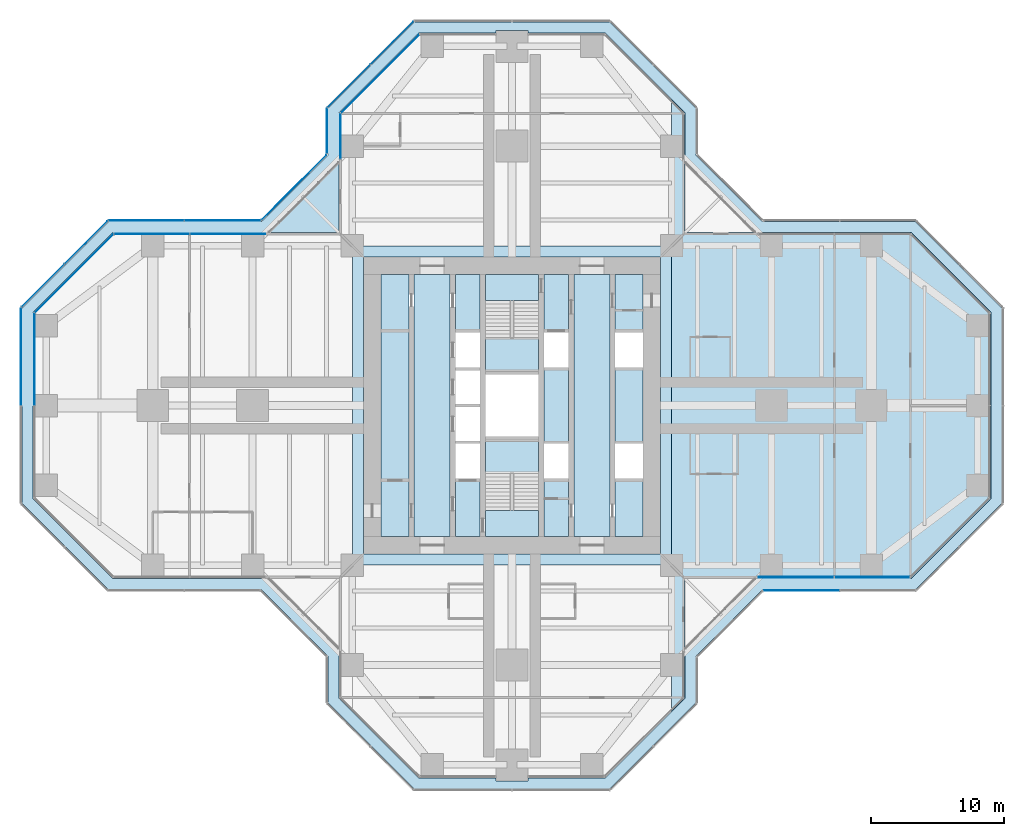
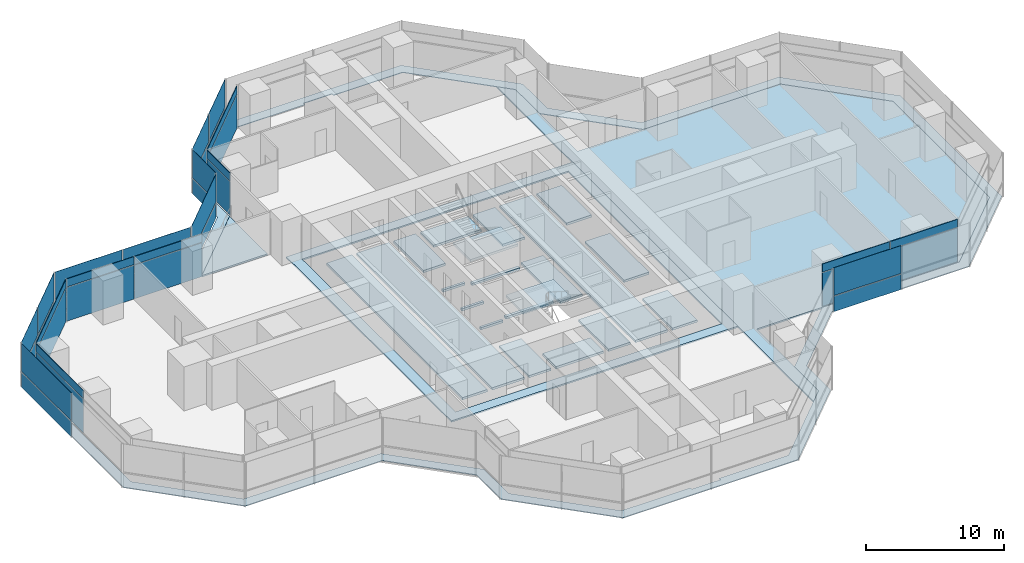
# One storey, part 13 of 19: 37 plates, 8 slabs, 15 elements without a shape of their own.
"""IFC4 building model written with IfcOpenShell, lengths in metres."""

import ifcopenshell
import ifcopenshell.guid

model = None  # the IFC model being written
_history = None  # IfcOwnerHistory: only IFC2X3 demands one
_inside = {}  # id of a spatial element -> (the spatial element, [elements in it])
_under = {}  # id of a project, library or spatial element -> (it, [spatial elements below it])
_declared = {}  # id of a project -> (the project, [libraries it declares])
_typed = {}  # id of a type object -> (the type object, [elements of that type])
_made_of = {}  # id of a material, layer set ... -> (it, [elements and type objects made of it])


def new_model(schema):
    """Start an empty IFC model of exactly this schema.

    Asked for "IFC4X3", IfcOpenShell would pick the latest addendum, in which some entities
    have other attributes; the version numbers below select the first issue.
    IFC2X3 requires an IfcOwnerHistory on every rooted entity: one is made here for all.
    """
    global model, _history
    if schema == "IFC4X3":
        model = ifcopenshell.file(schema_version=(4, 3, 0, 0))
    else:
        model = ifcopenshell.file(schema=schema)
    _inside.clear()
    _under.clear()
    _declared.clear()
    _typed.clear()
    _made_of.clear()
    _history = None
    if model.schema == "IFC2X3":
        org = make("IfcOrganization", Name="unknown")
        user = make(
            "IfcPersonAndOrganization",
            ThePerson=make("IfcPerson", FamilyName="unknown"),
            TheOrganization=org,
        )
        app = make(
            "IfcApplication",
            ApplicationDeveloper=org,
            Version="unknown",
            ApplicationFullName="unknown",
            ApplicationIdentifier="unknown",
        )
        _history = make(
            "IfcOwnerHistory",
            OwningUser=user,
            OwningApplication=app,
            ChangeAction="ADDED",
            CreationDate=0,
        )
    return model


def make(cls, **values):
    """One entity of the class cls with the attributes given. An attribute that is None is left unset."""
    return model.create_entity(
        cls, **{name: value for name, value in values.items() if value is not None}
    )


def rooted(cls, **values):
    """An entity with a GlobalId (a new one), such as an element, a storey or a relation."""
    return make(cls, GlobalId=ifcopenshell.guid.new(), OwnerHistory=_history, **values)


def si_unit(unit_type, name, prefix=None):
    """IfcSIUnit, for example si_unit("LENGTHUNIT", "METRE", prefix="MILLI")."""
    return make("IfcSIUnit", UnitType=unit_type, Prefix=prefix, Name=name)


def assignment(units):
    """IfcUnitAssignment: the units of a project."""
    return None if units is None else make("IfcUnitAssignment", Units=units)


def point(xyz):
    """IfcCartesianPoint."""
    return None if xyz is None else make("IfcCartesianPoint", Coordinates=xyz)


def direction(xyz):
    """IfcDirection."""
    return None if xyz is None else make("IfcDirection", DirectionRatios=xyz)


def frame(location, z_axis=None, x_axis=None):
    """IfcAxis2Placement3D, a coordinate frame: its origin and axes. An axis left out is left unset."""
    return make(
        "IfcAxis2Placement3D",
        Location=point(location),
        Axis=direction(z_axis),
        RefDirection=direction(x_axis),
    )


def frame_2d(location, x_axis=None):
    """IfcAxis2Placement2D, a coordinate frame in the plane: its origin and x axis."""
    return make(
        "IfcAxis2Placement2D", Location=point(location), RefDirection=direction(x_axis)
    )


def origin():
    """The frame at (0, 0, 0) with its axes left unset."""
    return frame((0.0, 0.0, 0.0))


def origin_2d():
    """The frame at (0, 0) in the plane with its x axis left unset."""
    return frame_2d((0.0, 0.0))


def place(relative_to, where):
    """IfcLocalPlacement: puts the frame where relative to a parent placement (None: the world)."""
    return make(
        "IfcLocalPlacement", PlacementRelTo=relative_to, RelativePlacement=where
    )


def context(
    kind, dimensions, precision=None, world=None, true_north=None, identifier=None
):
    """IfcGeometricRepresentationContext, for example the 3D "Model" context."""
    return make(
        "IfcGeometricRepresentationContext",
        ContextIdentifier=identifier,
        ContextType=kind,
        CoordinateSpaceDimension=dimensions,
        Precision=precision,
        WorldCoordinateSystem=world,
        TrueNorth=true_north,
    )


def subcontext(parent, identifier, kind, view, scale=None):
    """IfcGeometricRepresentationSubContext, for example "Body" below "Model"."""
    return make(
        "IfcGeometricRepresentationSubContext",
        ContextIdentifier=identifier,
        ContextType=kind,
        ParentContext=parent,
        TargetScale=scale,
        TargetView=view,
    )


def project(units=None, contexts=None):
    """IfcProject with its units and contexts."""
    return rooted(
        "IfcProject",
        Name="project",
        RepresentationContexts=contexts,
        UnitsInContext=assignment(units),
    )


def spatial(cls, under=None, at=None, **own):
    """A site, building, storey or space (cls), placed at a placement, below another one or the project."""
    s = rooted(cls, ObjectPlacement=at, **own)
    if under is not None:
        _under.setdefault(under.id(), (under, []))[1].append(s)
    return s


def polyline(points):
    """IfcPolyline through the points."""
    return make("IfcPolyline", Points=[point(p) for p in points])


def profile(cls, at=None, kind="AREA", **sizes):
    """A parametric profile (cls). Its sizes go by their IFC names, for example OverallWidth=200.0."""
    return make(cls, ProfileType=kind, Position=at, **sizes)


def rectangle(**sizes):
    """IfcRectangleProfileDef."""
    return profile("IfcRectangleProfileDef", **sizes)


def outline(outer, holes=None, kind="AREA"):
    """IfcArbitraryClosedProfileDef: a profile drawn as a closed curve; with holes, ...WithVoids."""
    if holes is None:
        return make("IfcArbitraryClosedProfileDef", ProfileType=kind, OuterCurve=outer)
    return make(
        "IfcArbitraryProfileDefWithVoids",
        ProfileType=kind,
        OuterCurve=outer,
        InnerCurves=holes,
    )


def extrude(swept, where, along, depth):
    """IfcExtrudedAreaSolid: the profile swept, set in the frame where, extruded along a direction by depth."""
    return make(
        "IfcExtrudedAreaSolid",
        SweptArea=swept,
        Position=where,
        ExtrudedDirection=direction(along),
        Depth=depth,
    )


def shape(context_of_items, identifier, shape_type, items):
    """IfcShapeRepresentation: the items that make up one representation, for example the "Body"."""
    return make(
        "IfcShapeRepresentation",
        ContextOfItems=context_of_items,
        RepresentationIdentifier=identifier,
        RepresentationType=shape_type,
        Items=items,
    )


def material(Name=None, Category=None):
    """IfcMaterial."""
    return make("IfcMaterial", Name=Name, Category=Category)


def layer(
    of_material, thickness, ventilated=None, Name=None, Category=None, Priority=None
):
    """IfcMaterialLayer: one layer of a wall or slab, of a material (None: an air gap)."""
    return make(
        "IfcMaterialLayer",
        Material=of_material,
        LayerThickness=thickness,
        IsVentilated=ventilated,
        Name=Name,
        Category=Category,
        Priority=Priority,
    )


def layer_set(layers, Name=None):
    """IfcMaterialLayerSet."""
    return make("IfcMaterialLayerSet", MaterialLayers=layers, LayerSetName=Name)


def made_of(thing, what):
    """Note that an element or type object is made of a material, layer set ...; save() writes the relation."""
    if what is not None:
        _made_of.setdefault(what.id(), (what, []))[1].append(thing)
    return thing


def type_object(cls, material=None, **own):
    """A type object (cls), such as IfcWallType, which elements share."""
    return made_of(rooted(cls, **own), material)


def element(
    cls,
    number,
    at=None,
    inside=None,
    cuts=None,
    type_object=None,
    material=None,
    context=None,
    identifier="Body",
    shape_type=None,
    held_by="IfcProductDefinitionShape",
    body=None,
    shapes=None,
    **own,
):
    """One element of the class cls, such as IfcWall. Its Tag is "e" and its number.

    at: its placement. inside: the storey or other place that contains it. cuts: it is an
    opening in that element (IfcRelVoidsElement). A single representation is given by context,
    identifier, shape_type and body (its items); several are given by shapes. held_by: the class
    of the entity that holds the representations. save() writes the other relations.
    """
    e = rooted(cls, Tag="e%d" % number, ObjectPlacement=at, **own)
    if body is not None:
        shapes = [shape(context, identifier, shape_type, body)]
    if shapes is not None:
        e.Representation = make(held_by, Representations=shapes)
    if inside is not None:
        _inside.setdefault(inside.id(), (inside, []))[1].append(e)
    if cuts is not None:
        rooted(
            "IfcRelVoidsElement", RelatingBuildingElement=cuts, RelatedOpeningElement=e
        )
    if type_object is not None:
        _typed.setdefault(type_object.id(), (type_object, []))[1].append(e)
    return made_of(e, material)


def aggregate(whole, parts):
    """IfcRelAggregates: a whole, such as a stair, and the parts it consists of."""
    return rooted("IfcRelAggregates", RelatingObject=whole, RelatedObjects=parts)


def save(model, path):
    """Write the relations noted so far, then the file.

    IfcRelAggregates (storeys below a building ...), IfcRelContainedInSpatialStructure (elements
    in a storey), IfcRelDefinesByType, IfcRelAssociatesMaterial and IfcRelDeclares: one each for
    every whole, place, type object, material and project.
    """
    for whole, parts in _under.values():
        aggregate(whole, parts)
    for where, things in _inside.values():
        rooted(
            "IfcRelContainedInSpatialStructure",
            RelatedElements=things,
            RelatingStructure=where,
        )
    for kind, things in _typed.values():
        rooted("IfcRelDefinesByType", RelatedObjects=things, RelatingType=kind)
    for what, things in _made_of.values():
        rooted("IfcRelAssociatesMaterial", RelatedObjects=things, RelatingMaterial=what)
    for by, libraries in _declared.values():
        rooted("IfcRelDeclares", RelatingContext=by, RelatedDefinitions=libraries)
    model.write(path)


model = new_model("IFC4")

# Units and contexts
model_context = context("Model", 3, precision=1e-05, world=origin(), true_north=direction((0.0, 1.0)))
body_context = subcontext(model_context, "Body", "Model", "MODEL_VIEW")
ifc_project = project(units=[si_unit("LENGTHUNIT", "METRE"), si_unit("AREAUNIT", "SQUARE_METRE"), si_unit("VOLUMEUNIT", "CUBIC_METRE"), si_unit("PLANEANGLEUNIT", "RADIAN"), si_unit("MASSUNIT", "GRAM", prefix="KILO")], contexts=[model_context])

# Site, building, storey
site_placement = place(None, origin())
site = spatial("IfcSite", under=ifc_project, at=site_placement, CompositionType="ELEMENT")
building_placement = place(site_placement, origin())
building = spatial("IfcBuilding", under=site, at=building_placement, Name="Mizan Broadcast Tower", CompositionType="ELEMENT")
storey_placement = place(building_placement, frame((0.0, 0.0, 182.699951171875)))
storey = spatial("IfcBuildingStorey", under=building, at=storey_placement, Name="L42", CompositionType="ELEMENT", Elevation=182.699951171875)

# Plate
ifc_material_1 = material(Name="Aluminium grating", Category="aluminium")
ifc_layer_1 = layer(ifc_material_1, 0.050048828125)
ifc_layer_set_1 = layer_set([ifc_layer_1], Name="Aluminium grating")
plate_type_1 = type_object("IfcPlateType", Name="CAVITY GRATING", PredefinedType="USERDEFINED", material=ifc_layer_set_1)
plate_1_placement = place(storey_placement, frame((0.0, 0.0, -0.050048828125)))
element("IfcPlate", 1, at=plate_1_placement, inside=storey, type_object=plate_type_1, Name="Cavity grating L42", ObjectType="GRATING", PredefinedType="USERDEFINED", context=body_context, shape_type="SweptSolid", body=[
    extrude(outline(polyline([(13.820068359375, -18.839599609375), (18.839599609375, -13.820068359375), (30.339599609375, -13.820068359375), (36.820068359375, -7.339599609375), (36.820068359375, 7.339599609375), (30.339599609375, 13.820068359375), (18.839599609375, 13.820068359375), (13.820068359375, 18.839599609375), (13.820068359375, 22.339599609375), (7.339599609375, 28.820068359375), (-7.339599609375, 28.820068359375), (-13.820068359375, 22.339599609375), (-13.820068359375, 18.839599609375), (-18.839599609375, 13.820068359375), (-30.339599609375, 13.820068359375), (-36.820068359375, 7.339599609375), (-36.820068359375, -7.339599609375), (-30.339599609375, -13.820068359375), (-18.839599609375, -13.820068359375), (-13.820068359375, -18.839599609375), (-13.820068359375, -22.339599609375), (-7.339599609375, -28.820068359375), (7.339599609375, -28.820068359375), (13.820068359375, -22.339599609375), (13.820068359375, -18.839599609375)]), holes=[polyline([(36.0, 7.0), (36.0, -7.0), (30.0, -13.0), (18.5, -13.0), (13.0, -18.5), (13.0, -22.0), (7.0, -28.0), (1.199951171875, -28.0), (1.199951171875, -28.199951171875), (-1.199951171875, -28.199951171875), (-1.199951171875, -28.0), (-7.0, -28.0), (-13.0, -22.0), (-13.0, -18.5), (-18.5, -13.0), (-30.0, -13.0), (-36.0, -7.0), (-36.0, 7.0), (-30.0, 13.0), (-18.5, 13.0), (-13.0, 18.5), (-13.0, 22.0), (-7.0, 28.0), (-1.199951171875, 28.0), (-1.199951171875, 28.199951171875), (1.199951171875, 28.199951171875), (1.199951171875, 28.0), (7.0, 28.0), (13.0, 22.0), (13.0, 18.5), (18.5, 13.0), (30.0, 13.0), (36.0, 7.0)])]), origin(), (0.0, 0.0, 1.0), 0.050048828125),
])

# Slabs
ifc_material_2 = material(Name="Concrete C32/40", Category="concrete")
ifc_layer_2 = layer(ifc_material_2, 0.1298828125)
ifc_layer_set_2 = layer_set([ifc_layer_2], Name="Concrete C32/40")
slab_type_1 = type_object("IfcSlabType", Name="COMPOSITE DECK SLAB 130", PredefinedType="FLOOR", material=ifc_layer_set_2)
slab_1_placement = place(storey_placement, frame((0.0, 0.0, -0.1298828125)))
element("IfcSlab", 2, at=slab_1_placement, inside=storey, type_object=slab_type_1, Name="Floor slab L42 centre", PredefinedType="FLOOR", context=body_context, shape_type="SweptSolid", body=[
    extrude(outline(polyline([(-12.0, -12.0), (12.0, -12.0), (12.0, 12.0), (-12.0, 12.0), (-12.0, -12.0)]), holes=[polyline([(-11.14990234375, 11.14990234375), (11.14990234375, 11.14990234375), (11.14990234375, -11.14990234375), (-11.14990234375, -11.14990234375), (-11.14990234375, 11.14990234375)])]), origin(), (0.0, 0.0, 1.0), 0.1298828125),
])
slab_2_placement = place(storey_placement, frame((0.0, 0.0, -0.1298828125)))
element("IfcSlab", 3, at=slab_2_placement, inside=storey, type_object=slab_type_1, Name="Floor slab L42 east arm", PredefinedType="FLOOR", context=body_context, shape_type="SweptSolid", body=[
    extrude(outline(polyline([(12.0, -23.0), (13.0, -22.0), (13.0, -13.0), (30.0, -13.0), (36.0, -7.0), (36.0, 7.0), (30.0, 13.0), (13.0, 13.0), (13.0, 22.0), (12.0, 23.0), (12.0, -23.0)])), origin(), (0.0, 0.0, 1.0), 0.1298828125),
])
ifc_material_3 = material(Name="Concrete C40/50", Category="concrete")
ifc_layer_3 = layer(ifc_material_3, 0.199951171875)
ifc_layer_set_3 = layer_set([ifc_layer_3], Name="Concrete C40/50")
slab_type_2 = type_object("IfcSlabType", Name="CORE FLOOR 200", PredefinedType="FLOOR", material=ifc_layer_set_3)
slab_3_placement = place(storey_placement, frame((0.0, 0.0, -0.199951171875)))
element("IfcSlab", 4, at=slab_3_placement, inside=storey, type_object=slab_type_2, Name="Core floor L42", PredefinedType="FLOOR", context=body_context, shape_type="SweptSolid", body=[
    extrude(outline(polyline([(-9.85009765625, -9.85009765625), (-7.75, -9.85009765625), (-7.75, 9.85009765625), (-9.85009765625, 9.85009765625), (-9.85009765625, -9.85009765625)])), origin(), (0.0, 0.0, 1.0), 0.199951171875),
    extrude(outline(polyline([(-4.64990234375, 9.85009765625), (-7.35009765625, 9.85009765625), (-7.35009765625, -9.85009765625), (-4.64990234375, -9.85009765625), (-4.64990234375, 9.85009765625)])), origin(), (0.0, 0.0, 1.0), 0.199951171875),
    extrude(outline(polyline([(-4.25, -5.5), (-4.25, -9.85009765625), (-2.39990234375, -9.85009765625), (-2.39990234375, -5.5), (-4.25, -5.5)])), origin(), (0.0, 0.0, 1.0), 0.199951171875),
    extrude(outline(polyline([(-4.25, -2.85009765625), (-2.39990234375, -2.85009765625), (-2.39990234375, -2.64990234375), (-4.25, -2.64990234375), (-4.25, -2.85009765625)])), origin(), (0.0, 0.0, 1.0), 0.199951171875),
    extrude(outline(polyline([(-4.25, -0.10009765625), (-2.39990234375, -0.10009765625), (-2.39990234375, 0.10009765625), (-4.25, 0.10009765625), (-4.25, -0.10009765625)])), origin(), (0.0, 0.0, 1.0), 0.199951171875),
    extrude(outline(polyline([(-4.25, 2.64990234375), (-2.39990234375, 2.64990234375), (-2.39990234375, 2.85009765625), (-4.25, 2.85009765625), (-4.25, 2.64990234375)])), origin(), (0.0, 0.0, 1.0), 0.199951171875),
    extrude(outline(polyline([(-4.25, 5.5), (-2.39990234375, 5.5), (-2.39990234375, 9.85009765625), (-4.25, 9.85009765625), (-4.25, 5.5)])), origin(), (0.0, 0.0, 1.0), 0.199951171875),
    extrude(outline(polyline([(2.0, -2.324951171875), (-2.0, -2.324951171875), (-2.0, -2.574951171875), (2.0, -2.574951171875), (2.0, -2.324951171875)])), origin(), (0.0, 0.0, 1.0), 0.199951171875),
    extrude(outline(polyline([(2.0, 2.574951171875), (-2.0, 2.574951171875), (-2.0, 2.324951171875), (2.0, 2.324951171875), (2.0, 2.574951171875)])), origin(), (0.0, 0.0, 1.0), 0.199951171875),
    extrude(outline(polyline([(4.25, -9.85009765625), (4.25, -5.5), (2.39990234375, -5.5), (2.39990234375, -9.85009765625), (4.25, -9.85009765625)])), origin(), (0.0, 0.0, 1.0), 0.199951171875),
    extrude(outline(polyline([(4.25, -2.85009765625), (4.25, 2.85009765625), (2.39990234375, 2.85009765625), (2.39990234375, -2.85009765625), (4.25, -2.85009765625)])), origin(), (0.0, 0.0, 1.0), 0.199951171875),
    extrude(outline(polyline([(4.25, 5.5), (4.25, 9.85009765625), (2.39990234375, 9.85009765625), (2.39990234375, 5.5), (4.25, 5.5)])), origin(), (0.0, 0.0, 1.0), 0.199951171875),
    extrude(outline(polyline([(4.64990234375, 9.85009765625), (4.64990234375, -9.85009765625), (7.35009765625, -9.85009765625), (7.35009765625, 9.85009765625), (4.64990234375, 9.85009765625)])), origin(), (0.0, 0.0, 1.0), 0.199951171875),
    extrude(outline(polyline([(9.85009765625, -9.85009765625), (9.85009765625, -5.5), (7.75, -5.5), (7.75, -9.85009765625), (9.85009765625, -9.85009765625)])), origin(), (0.0, 0.0, 1.0), 0.199951171875),
    extrude(outline(polyline([(7.75, -2.85009765625), (9.85009765625, -2.85009765625), (9.85009765625, 2.85009765625), (7.75, 2.85009765625), (7.75, -2.85009765625)])), origin(), (0.0, 0.0, 1.0), 0.199951171875),
    extrude(outline(polyline([(9.85009765625, 5.5), (9.85009765625, 9.85009765625), (7.75, 9.85009765625), (7.75, 5.5), (9.85009765625, 5.5)])), origin(), (0.0, 0.0, 1.0), 0.199951171875),
])

# Curtain wall, plates
ifc_material_4 = material(Name="Aluminium framed glazing", Category="aluminium")
curtain_wall_type_1 = type_object("IfcCurtainWallType", Name="INNER SKIN MID ZONE", PredefinedType="USERDEFINED", material=ifc_material_4)
curtain_wall_1_placement = place(storey_placement, origin())
curtain_wall_1 = element("IfcCurtainWall", 5, at=curtain_wall_1_placement, inside=storey, type_object=curtain_wall_type_1, Name="Inner skin mid zone L42 E side", ObjectType="INNER SKIN MID ZONE", PredefinedType="USERDEFINED")
ifc_material_5 = material(Name="Double glazing, clear low-e", Category="glass")
ifc_layer_4 = layer(ifc_material_5, 0.028076171875)
ifc_layer_set_4 = layer_set([ifc_layer_4], Name="Double glazing, clear low-e")
plate_type_2 = type_object("IfcPlateType", Name="INNER SKIN GLAZING UNIT", PredefinedType="CURTAIN_PANEL", material=ifc_layer_set_4)
plate_2_placement = place(storey_placement, frame((21.379638671875, -12.89990234375, 0.0), z_axis=(0.0, 0.0, 1.0), x_axis=(1.0, 0.0, 0.0)))
plate_2 = element("IfcPlate", 6, at=plate_2_placement, type_object=plate_type_2, Name="Inner skin mid zone L42 E side panel 1.1", PredefinedType="CURTAIN_PANEL", context=body_context, shape_type="SweptSolid", body=[
    extrude(rectangle(XDim=5.639404296875, YDim=0.028076171875, at=origin_2d()), origin(), (0.0, 0.0, 1.0), 3.0),
])
plate_3_placement = place(storey_placement, frame((27.078857421875, -12.89990234375, 0.0), z_axis=(0.0, 0.0, 1.0), x_axis=(1.0, 0.0, 0.0)))
plate_3 = element("IfcPlate", 7, at=plate_3_placement, type_object=plate_type_2, Name="Inner skin mid zone L42 E side panel 2.1", PredefinedType="CURTAIN_PANEL", context=body_context, shape_type="SweptSolid", body=[
    extrude(rectangle(XDim=5.639404296875, YDim=0.028076171875, at=origin_2d()), origin(), (0.0, 0.0, 1.0), 3.0),
])

# Curtain wall, plate
curtain_wall_2_placement = place(storey_placement, origin())
curtain_wall_2 = element("IfcCurtainWall", 8, at=curtain_wall_2_placement, inside=storey, type_object=curtain_wall_type_1, Name="Inner skin mid zone L42 N chamfer", ObjectType="INNER SKIN MID ZONE", PredefinedType="USERDEFINED")
plate_4_placement = place(storey_placement, frame((-9.92919921875, 24.92919921875, 0.0), z_axis=(0.0, 0.0, 1.0), x_axis=(-0.707106781187, -0.707106781187, 0.0)))
plate_4 = element("IfcPlate", 9, at=plate_4_placement, type_object=plate_type_2, Name="Inner skin mid zone L42 N chamfer panel 1.1", PredefinedType="CURTAIN_PANEL", context=body_context, shape_type="SweptSolid", body=[
    extrude(rectangle(XDim=8.282470703125, YDim=0.028076171875, at=origin_2d()), origin(), (0.0, 0.0, 1.0), 3.0),
])

curtain_wall_3_placement = place(storey_placement, origin())
curtain_wall_3 = element("IfcCurtainWall", 10, at=curtain_wall_3_placement, inside=storey, type_object=curtain_wall_type_1, Name="Inner skin mid zone L42 N side", ObjectType="INNER SKIN MID ZONE", PredefinedType="USERDEFINED")
plate_5_placement = place(storey_placement, frame((-12.89990234375, 20.229248046875, 0.0), z_axis=(0.0, 0.0, 1.0), x_axis=(0.0, -1.0, 0.0)))
plate_5 = element("IfcPlate", 11, at=plate_5_placement, type_object=plate_type_2, Name="Inner skin mid zone L42 N side panel 1.1", PredefinedType="CURTAIN_PANEL", context=body_context, shape_type="SweptSolid", body=[
    extrude(rectangle(XDim=3.338623046875, YDim=0.028076171875, at=origin_2d()), origin(), (0.0, 0.0, 1.0), 3.0),
])

# Curtain wall, plates
curtain_wall_4_placement = place(storey_placement, origin())
curtain_wall_4 = element("IfcCurtainWall", 12, at=curtain_wall_4_placement, inside=storey, type_object=curtain_wall_type_1, Name="Inner skin mid zone L42 W side", ObjectType="INNER SKIN MID ZONE", PredefinedType="USERDEFINED")
plate_6_placement = place(storey_placement, frame((-21.379638671875, 12.89990234375, 0.0), z_axis=(0.0, 0.0, 1.0), x_axis=(-1.0, 0.0, 0.0)))
plate_6 = element("IfcPlate", 13, at=plate_6_placement, type_object=plate_type_2, Name="Inner skin mid zone L42 W side panel 1.1", PredefinedType="CURTAIN_PANEL", context=body_context, shape_type="SweptSolid", body=[
    extrude(rectangle(XDim=5.639404296875, YDim=0.028076171875, at=origin_2d()), origin(), (0.0, 0.0, 1.0), 3.0),
])
plate_7_placement = place(storey_placement, frame((-27.078857421875, 12.89990234375, 0.0), z_axis=(0.0, 0.0, 1.0), x_axis=(-1.0, 0.0, 0.0)))
plate_7 = element("IfcPlate", 14, at=plate_7_placement, type_object=plate_type_2, Name="Inner skin mid zone L42 W side panel 2.1", PredefinedType="CURTAIN_PANEL", context=body_context, shape_type="SweptSolid", body=[
    extrude(rectangle(XDim=5.639404296875, YDim=0.028076171875, at=origin_2d()), origin(), (0.0, 0.0, 1.0), 3.0),
])

# Curtain wall, plate
curtain_wall_5_placement = place(storey_placement, origin())
curtain_wall_5 = element("IfcCurtainWall", 15, at=curtain_wall_5_placement, inside=storey, type_object=curtain_wall_type_1, Name="Inner skin mid zone L42 W chamfer", ObjectType="INNER SKIN MID ZONE", PredefinedType="USERDEFINED")
plate_8_placement = place(storey_placement, frame((-32.92919921875, 9.92919921875, 0.0), z_axis=(0.0, 0.0, 1.0), x_axis=(-0.707106781187, -0.707106781187, 0.0)))
plate_8 = element("IfcPlate", 16, at=plate_8_placement, type_object=plate_type_2, Name="Inner skin mid zone L42 W chamfer panel 1.1", PredefinedType="CURTAIN_PANEL", context=body_context, shape_type="SweptSolid", body=[
    extrude(rectangle(XDim=8.282470703125, YDim=0.028076171875, at=origin_2d()), origin(), (0.0, 0.0, 1.0), 3.0),
])

curtain_wall_6_placement = place(storey_placement, origin())
curtain_wall_6 = element("IfcCurtainWall", 17, at=curtain_wall_6_placement, inside=storey, type_object=curtain_wall_type_1, Name="Inner skin mid zone L42 W end", ObjectType="INNER SKIN MID ZONE", PredefinedType="USERDEFINED")
plate_9_placement = place(storey_placement, frame((-35.89990234375, 3.46435546875, 0.0), z_axis=(0.0, 0.0, 1.0), x_axis=(0.0, -1.0, 0.0)))
plate_9 = element("IfcPlate", 18, at=plate_9_placement, type_object=plate_type_2, Name="Inner skin mid zone L42 W end panel 1.1", PredefinedType="CURTAIN_PANEL", context=body_context, shape_type="SweptSolid", body=[
    extrude(rectangle(XDim=6.86865234375, YDim=0.028076171875, at=origin_2d()), origin(), (0.0, 0.0, 1.0), 3.0),
])

# Plate
ifc_material_6 = material(Name="Insulated aluminium spandrel panel, pale anodised", Category="aluminium")
ifc_layer_5 = layer(ifc_material_6, 0.050048828125)
ifc_layer_set_5 = layer_set([ifc_layer_5], Name="Insulated aluminium spandrel panel, pale anodised")
plate_type_3 = type_object("IfcPlateType", Name="INNER SKIN SPANDREL PANEL", PredefinedType="CURTAIN_PANEL", material=ifc_layer_set_5)
plate_10_placement = place(storey_placement, frame((21.379638671875, -12.89990234375, 3.06005859375), z_axis=(0.0, 0.0, 1.0), x_axis=(1.0, 0.0, 0.0)))
plate_10 = element("IfcPlate", 19, at=plate_10_placement, type_object=plate_type_3, Name="Inner skin mid zone L42 E side panel 1.2", PredefinedType="CURTAIN_PANEL", context=body_context, shape_type="SweptSolid", body=[
    extrude(rectangle(XDim=5.639404296875, YDim=0.050048828125, at=origin_2d()), origin(), (0.0, 0.0, 1.0), 0.7099609375),
])

plate_11_placement = place(storey_placement, frame((27.078857421875, -12.89990234375, 3.06005859375), z_axis=(0.0, 0.0, 1.0), x_axis=(1.0, 0.0, 0.0)))
plate_11 = element("IfcPlate", 20, at=plate_11_placement, type_object=plate_type_3, Name="Inner skin mid zone L42 E side panel 2.2", PredefinedType="CURTAIN_PANEL", context=body_context, shape_type="SweptSolid", body=[
    extrude(rectangle(XDim=5.639404296875, YDim=0.050048828125, at=origin_2d()), origin(), (0.0, 0.0, 1.0), 0.7099609375),
])

aggregate(curtain_wall_1, [plate_2, plate_10, plate_3, plate_11])

plate_12_placement = place(storey_placement, frame((-9.92919921875, 24.92919921875, 3.06005859375), z_axis=(0.0, 0.0, 1.0), x_axis=(-0.707106781187, -0.707106781187, 0.0)))
plate_12 = element("IfcPlate", 21, at=plate_12_placement, type_object=plate_type_3, Name="Inner skin mid zone L42 N chamfer panel 1.2", PredefinedType="CURTAIN_PANEL", context=body_context, shape_type="SweptSolid", body=[
    extrude(rectangle(XDim=8.282470703125, YDim=0.050048828125, at=origin_2d()), origin(), (0.0, 0.0, 1.0), 0.7099609375),
])

aggregate(curtain_wall_2, [plate_4, plate_12])

plate_13_placement = place(storey_placement, frame((-12.89990234375, 20.229248046875, 3.06005859375), z_axis=(0.0, 0.0, 1.0), x_axis=(0.0, -1.0, 0.0)))
plate_13 = element("IfcPlate", 22, at=plate_13_placement, type_object=plate_type_3, Name="Inner skin mid zone L42 N side panel 1.2", PredefinedType="CURTAIN_PANEL", context=body_context, shape_type="SweptSolid", body=[
    extrude(rectangle(XDim=3.338623046875, YDim=0.050048828125, at=origin_2d()), origin(), (0.0, 0.0, 1.0), 0.7099609375),
])

aggregate(curtain_wall_3, [plate_5, plate_13])

plate_14_placement = place(storey_placement, frame((-21.379638671875, 12.89990234375, 3.06005859375), z_axis=(0.0, 0.0, 1.0), x_axis=(-1.0, 0.0, 0.0)))
plate_14 = element("IfcPlate", 23, at=plate_14_placement, type_object=plate_type_3, Name="Inner skin mid zone L42 W side panel 1.2", PredefinedType="CURTAIN_PANEL", context=body_context, shape_type="SweptSolid", body=[
    extrude(rectangle(XDim=5.639404296875, YDim=0.050048828125, at=origin_2d()), origin(), (0.0, 0.0, 1.0), 0.7099609375),
])

plate_15_placement = place(storey_placement, frame((-27.078857421875, 12.89990234375, 3.06005859375), z_axis=(0.0, 0.0, 1.0), x_axis=(-1.0, 0.0, 0.0)))
plate_15 = element("IfcPlate", 24, at=plate_15_placement, type_object=plate_type_3, Name="Inner skin mid zone L42 W side panel 2.2", PredefinedType="CURTAIN_PANEL", context=body_context, shape_type="SweptSolid", body=[
    extrude(rectangle(XDim=5.639404296875, YDim=0.050048828125, at=origin_2d()), origin(), (0.0, 0.0, 1.0), 0.7099609375),
])

aggregate(curtain_wall_4, [plate_6, plate_14, plate_7, plate_15])

plate_16_placement = place(storey_placement, frame((-32.92919921875, 9.92919921875, 3.06005859375), z_axis=(0.0, 0.0, 1.0), x_axis=(-0.707106781187, -0.707106781187, 0.0)))
plate_16 = element("IfcPlate", 25, at=plate_16_placement, type_object=plate_type_3, Name="Inner skin mid zone L42 W chamfer panel 1.2", PredefinedType="CURTAIN_PANEL", context=body_context, shape_type="SweptSolid", body=[
    extrude(rectangle(XDim=8.282470703125, YDim=0.050048828125, at=origin_2d()), origin(), (0.0, 0.0, 1.0), 0.7099609375),
])

aggregate(curtain_wall_5, [plate_8, plate_16])

plate_17_placement = place(storey_placement, frame((-35.89990234375, 3.46435546875, 3.06005859375), z_axis=(0.0, 0.0, 1.0), x_axis=(0.0, -1.0, 0.0)))
plate_17 = element("IfcPlate", 26, at=plate_17_placement, type_object=plate_type_3, Name="Inner skin mid zone L42 W end panel 1.2", PredefinedType="CURTAIN_PANEL", context=body_context, shape_type="SweptSolid", body=[
    extrude(rectangle(XDim=6.86865234375, YDim=0.050048828125, at=origin_2d()), origin(), (0.0, 0.0, 1.0), 0.7099609375),
])

aggregate(curtain_wall_6, [plate_9, plate_17])

# Curtain wall, plates
ifc_material_7 = material(Name="Aluminium framed glazing", Category="aluminium")
curtain_wall_type_2 = type_object("IfcCurtainWallType", Name="OUTER SKIN", PredefinedType="USERDEFINED", material=ifc_material_7)
curtain_wall_7_placement = place(storey_placement, origin())
curtain_wall_7 = element("IfcCurtainWall", 27, at=curtain_wall_7_placement, inside=storey, type_object=curtain_wall_type_2, Name="Outer skin L42 N chamfer", ObjectType="OUTER SKIN", PredefinedType="USERDEFINED")
ifc_material_8 = material(Name="Laminated clear glass", Category="glass")
ifc_layer_6 = layer(ifc_material_8, 0.02001953125)
ifc_layer_set_6 = layer_set([ifc_layer_6], Name="Laminated clear glass")
plate_type_4 = type_object("IfcPlateType", Name="OUTER SKIN CLEAR GLASS", PredefinedType="CURTAIN_PANEL", material=ifc_layer_set_6)
plate_18_placement = place(storey_placement, frame((-9.018798828125, 27.254150390625, 0.0), z_axis=(0.0, 0.0, 1.0), x_axis=(-0.707106781187, -0.707106781187, 0.0)))
plate_18 = element("IfcPlate", 28, at=plate_18_placement, type_object=plate_type_4, Name="Outer skin L42 N chamfer panel 1.1", PredefinedType="CURTAIN_PANEL", context=body_context, shape_type="SweptSolid", body=[
    extrude(rectangle(XDim=4.495361328125, YDim=0.02001953125, at=origin_2d()), origin(), (0.0, 0.0, 1.0), 1.3701171875),
])
plate_19_placement = place(storey_placement, frame((-9.018798828125, 27.254150390625, 1.43017578125), z_axis=(0.0, 0.0, 1.0), x_axis=(-0.707106781187, -0.707106781187, 0.0)))
plate_19 = element("IfcPlate", 29, at=plate_19_placement, type_object=plate_type_4, Name="Outer skin L42 N chamfer panel 1.2", PredefinedType="CURTAIN_PANEL", context=body_context, shape_type="SweptSolid", body=[
    extrude(rectangle(XDim=4.495361328125, YDim=0.02001953125, at=origin_2d()), origin(), (0.0, 0.0, 1.0), 2.469970703125),
])

curtain_wall_8_placement = place(storey_placement, origin())
curtain_wall_8 = element("IfcCurtainWall", 30, at=curtain_wall_8_placement, inside=storey, type_object=curtain_wall_type_2, Name="Outer skin L42 N side", ObjectType="OUTER SKIN", PredefinedType="USERDEFINED")
plate_20_placement = place(storey_placement, frame((-13.89990234375, 20.622802734375, 0.0), z_axis=(0.0, 0.0, 1.0), x_axis=(0.0, -1.0, 0.0)))
plate_20 = element("IfcPlate", 31, at=plate_20_placement, type_object=plate_type_4, Name="Outer skin L42 N side panel 1.1", PredefinedType="CURTAIN_PANEL", context=body_context, shape_type="SweptSolid", body=[
    extrude(rectangle(XDim=3.340087890625, YDim=0.02001953125, at=origin_2d()), origin(), (0.0, 0.0, 1.0), 1.3701171875),
])
plate_21_placement = place(storey_placement, frame((-13.89990234375, 20.622802734375, 1.43017578125), z_axis=(0.0, 0.0, 1.0), x_axis=(0.0, -1.0, 0.0)))
plate_21 = element("IfcPlate", 32, at=plate_21_placement, type_object=plate_type_4, Name="Outer skin L42 N side panel 1.2", PredefinedType="CURTAIN_PANEL", context=body_context, shape_type="SweptSolid", body=[
    extrude(rectangle(XDim=3.340087890625, YDim=0.02001953125, at=origin_2d()), origin(), (0.0, 0.0, 1.0), 2.469970703125),
])
aggregate(curtain_wall_8, [plate_20, plate_21])

curtain_wall_9_placement = place(storey_placement, origin())
curtain_wall_9 = element("IfcCurtainWall", 33, at=curtain_wall_9_placement, inside=storey, type_object=curtain_wall_type_2, Name="Outer skin L42 W chamfer", ObjectType="OUTER SKIN", PredefinedType="USERDEFINED")
plate_22_placement = place(storey_placement, frame((-16.386474609375, 16.386474609375, 0.0), z_axis=(0.0, 0.0, 1.0), x_axis=(-0.707106781187, -0.707106781187, 0.0)))
plate_22 = element("IfcPlate", 34, at=plate_22_placement, type_object=plate_type_4, Name="Outer skin L42 W chamfer panel 1.1", PredefinedType="CURTAIN_PANEL", context=body_context, shape_type="SweptSolid", body=[
    extrude(rectangle(XDim=6.87255859375, YDim=0.02001953125, at=origin_2d()), origin(), (0.0, 0.0, 1.0), 1.3701171875),
])
plate_23_placement = place(storey_placement, frame((-16.386474609375, 16.386474609375, 1.43017578125), z_axis=(0.0, 0.0, 1.0), x_axis=(-0.707106781187, -0.707106781187, 0.0)))
plate_23 = element("IfcPlate", 35, at=plate_23_placement, type_object=plate_type_4, Name="Outer skin L42 W chamfer panel 1.2", PredefinedType="CURTAIN_PANEL", context=body_context, shape_type="SweptSolid", body=[
    extrude(rectangle(XDim=6.87255859375, YDim=0.02001953125, at=origin_2d()), origin(), (0.0, 0.0, 1.0), 2.469970703125),
])
aggregate(curtain_wall_9, [plate_22, plate_23])

curtain_wall_10_placement = place(storey_placement, origin())
curtain_wall_10 = element("IfcCurtainWall", 36, at=curtain_wall_10_placement, inside=storey, type_object=curtain_wall_type_2, Name="Outer skin L42 W side", ObjectType="OUTER SKIN", PredefinedType="USERDEFINED")
plate_24_placement = place(storey_placement, frame((-21.767822265625, 13.89990234375, 0.0), z_axis=(0.0, 0.0, 1.0), x_axis=(-1.0, 0.0, 0.0)))
plate_24 = element("IfcPlate", 37, at=plate_24_placement, type_object=plate_type_4, Name="Outer skin L42 W side panel 1.1", PredefinedType="CURTAIN_PANEL", context=body_context, shape_type="SweptSolid", body=[
    extrude(rectangle(XDim=5.6298828125, YDim=0.02001953125, at=origin_2d()), origin(), (0.0, 0.0, 1.0), 1.3701171875),
])
plate_25_placement = place(storey_placement, frame((-21.767822265625, 13.89990234375, 1.43017578125), z_axis=(0.0, 0.0, 1.0), x_axis=(-1.0, 0.0, 0.0)))
plate_25 = element("IfcPlate", 38, at=plate_25_placement, type_object=plate_type_4, Name="Outer skin L42 W side panel 1.2", PredefinedType="CURTAIN_PANEL", context=body_context, shape_type="SweptSolid", body=[
    extrude(rectangle(XDim=5.6298828125, YDim=0.02001953125, at=origin_2d()), origin(), (0.0, 0.0, 1.0), 2.469970703125),
])
plate_26_placement = place(storey_placement, frame((-27.477783203125, 13.89990234375, 0.0), z_axis=(0.0, 0.0, 1.0), x_axis=(-1.0, 0.0, 0.0)))
plate_26 = element("IfcPlate", 39, at=plate_26_placement, type_object=plate_type_4, Name="Outer skin L42 W side panel 2.1", PredefinedType="CURTAIN_PANEL", context=body_context, shape_type="SweptSolid", body=[
    extrude(rectangle(XDim=5.6298828125, YDim=0.02001953125, at=origin_2d()), origin(), (0.0, 0.0, 1.0), 1.3701171875),
])
plate_27_placement = place(storey_placement, frame((-27.477783203125, 13.89990234375, 1.43017578125), z_axis=(0.0, 0.0, 1.0), x_axis=(-1.0, 0.0, 0.0)))
plate_27 = element("IfcPlate", 40, at=plate_27_placement, type_object=plate_type_4, Name="Outer skin L42 W side panel 2.2", PredefinedType="CURTAIN_PANEL", context=body_context, shape_type="SweptSolid", body=[
    extrude(rectangle(XDim=5.6298828125, YDim=0.02001953125, at=origin_2d()), origin(), (0.0, 0.0, 1.0), 2.469970703125),
])
aggregate(curtain_wall_10, [plate_24, plate_25, plate_26, plate_27])

curtain_wall_11_placement = place(storey_placement, origin())
curtain_wall_11 = element("IfcCurtainWall", 41, at=curtain_wall_11_placement, inside=storey, type_object=curtain_wall_type_2, Name="Outer skin L42 W chamfer", ObjectType="OUTER SKIN", PredefinedType="USERDEFINED")
plate_28_placement = place(storey_placement, frame((-32.018798828125, 12.254150390625, 0.0), z_axis=(0.0, 0.0, 1.0), x_axis=(-0.707106781187, -0.707106781187, 0.0)))
plate_28 = element("IfcPlate", 42, at=plate_28_placement, type_object=plate_type_4, Name="Outer skin L42 W chamfer panel 1.1", PredefinedType="CURTAIN_PANEL", context=body_context, shape_type="SweptSolid", body=[
    extrude(rectangle(XDim=4.495361328125, YDim=0.02001953125, at=origin_2d()), origin(), (0.0, 0.0, 1.0), 1.3701171875),
])
plate_29_placement = place(storey_placement, frame((-32.018798828125, 12.254150390625, 1.43017578125), z_axis=(0.0, 0.0, 1.0), x_axis=(-0.707106781187, -0.707106781187, 0.0)))
plate_29 = element("IfcPlate", 43, at=plate_29_placement, type_object=plate_type_4, Name="Outer skin L42 W chamfer panel 1.2", PredefinedType="CURTAIN_PANEL", context=body_context, shape_type="SweptSolid", body=[
    extrude(rectangle(XDim=4.495361328125, YDim=0.02001953125, at=origin_2d()), origin(), (0.0, 0.0, 1.0), 2.469970703125),
])

curtain_wall_12_placement = place(storey_placement, origin())
curtain_wall_12 = element("IfcCurtainWall", 44, at=curtain_wall_12_placement, inside=storey, type_object=curtain_wall_type_2, Name="Outer skin L42 W end", ObjectType="OUTER SKIN", PredefinedType="USERDEFINED")
plate_30_placement = place(storey_placement, frame((-36.89990234375, 3.66650390625, 0.0), z_axis=(0.0, 0.0, 1.0), x_axis=(0.0, -1.0, 0.0)))
plate_30 = element("IfcPlate", 45, at=plate_30_placement, type_object=plate_type_4, Name="Outer skin L42 W end panel 1.1", PredefinedType="CURTAIN_PANEL", context=body_context, shape_type="SweptSolid", body=[
    extrude(rectangle(XDim=7.252685546875, YDim=0.02001953125, at=origin_2d()), origin(), (0.0, 0.0, 1.0), 1.3701171875),
])
plate_31_placement = place(storey_placement, frame((-36.89990234375, 3.66650390625, 1.43017578125), z_axis=(0.0, 0.0, 1.0), x_axis=(0.0, -1.0, 0.0)))
plate_31 = element("IfcPlate", 46, at=plate_31_placement, type_object=plate_type_4, Name="Outer skin L42 W end panel 1.2", PredefinedType="CURTAIN_PANEL", context=body_context, shape_type="SweptSolid", body=[
    extrude(rectangle(XDim=7.252685546875, YDim=0.02001953125, at=origin_2d()), origin(), (0.0, 0.0, 1.0), 2.469970703125),
])
aggregate(curtain_wall_12, [plate_30, plate_31])

curtain_wall_13_placement = place(storey_placement, origin())
curtain_wall_13 = element("IfcCurtainWall", 47, at=curtain_wall_13_placement, inside=storey, type_object=curtain_wall_type_2, Name="Outer skin L42 E side", ObjectType="OUTER SKIN", PredefinedType="USERDEFINED")
plate_32_placement = place(storey_placement, frame((21.767822265625, -13.89990234375, 0.0), z_axis=(0.0, 0.0, 1.0), x_axis=(1.0, 0.0, 0.0)))
plate_32 = element("IfcPlate", 48, at=plate_32_placement, type_object=plate_type_4, Name="Outer skin L42 E side panel 1.1", PredefinedType="CURTAIN_PANEL", context=body_context, shape_type="SweptSolid", body=[
    extrude(rectangle(XDim=5.6298828125, YDim=0.02001953125, at=origin_2d()), origin(), (0.0, 0.0, 1.0), 1.3701171875),
])
plate_33_placement = place(storey_placement, frame((21.767822265625, -13.89990234375, 1.43017578125), z_axis=(0.0, 0.0, 1.0), x_axis=(1.0, 0.0, 0.0)))
plate_33 = element("IfcPlate", 49, at=plate_33_placement, type_object=plate_type_4, Name="Outer skin L42 E side panel 1.2", PredefinedType="CURTAIN_PANEL", context=body_context, shape_type="SweptSolid", body=[
    extrude(rectangle(XDim=5.6298828125, YDim=0.02001953125, at=origin_2d()), origin(), (0.0, 0.0, 1.0), 2.469970703125),
])
aggregate(curtain_wall_13, [plate_32, plate_33])

# Plate
ifc_material_9 = material(Name="Perforated aluminium, pale anodised", Category="aluminium")
ifc_layer_7 = layer(ifc_material_9, 0.011962890625)
ifc_layer_set_7 = layer_set([ifc_layer_7], Name="Perforated aluminium, pale anodised")
plate_type_5 = type_object("IfcPlateType", Name="OUTER SKIN PERFORATED SCREEN", PredefinedType="USERDEFINED", material=ifc_layer_set_7)
plate_34_placement = place(storey_placement, frame((-12.254150390625, 24.018798828125, 0.0), z_axis=(0.0, 0.0, 1.0), x_axis=(-0.707106781187, -0.707106781187, 0.0)))
plate_34 = element("IfcPlate", 50, at=plate_34_placement, type_object=plate_type_5, Name="Outer skin L42 N chamfer panel 2.1", ObjectType="SCREEN", PredefinedType="USERDEFINED", context=body_context, shape_type="SweptSolid", body=[
    extrude(rectangle(XDim=4.495361328125, YDim=0.011962890625, at=origin_2d()), origin(), (0.0, 0.0, 1.0), 1.3701171875),
])

plate_35_placement = place(storey_placement, frame((-12.254150390625, 24.018798828125, 1.43017578125), z_axis=(0.0, 0.0, 1.0), x_axis=(-0.707106781187, -0.707106781187, 0.0)))
plate_35 = element("IfcPlate", 51, at=plate_35_placement, type_object=plate_type_5, Name="Outer skin L42 N chamfer panel 2.2", ObjectType="SCREEN", PredefinedType="USERDEFINED", context=body_context, shape_type="SweptSolid", body=[
    extrude(rectangle(XDim=4.495361328125, YDim=0.011962890625, at=origin_2d()), origin(), (0.0, 0.0, 1.0), 2.469970703125),
])

aggregate(curtain_wall_7, [plate_18, plate_19, plate_34, plate_35])

plate_36_placement = place(storey_placement, frame((-35.254150390625, 9.018798828125, 0.0), z_axis=(0.0, 0.0, 1.0), x_axis=(-0.707106781187, -0.707106781187, 0.0)))
plate_36 = element("IfcPlate", 52, at=plate_36_placement, type_object=plate_type_5, Name="Outer skin L42 W chamfer panel 2.1", ObjectType="SCREEN", PredefinedType="USERDEFINED", context=body_context, shape_type="SweptSolid", body=[
    extrude(rectangle(XDim=4.495361328125, YDim=0.011962890625, at=origin_2d()), origin(), (0.0, 0.0, 1.0), 1.3701171875),
])

plate_37_placement = place(storey_placement, frame((-35.254150390625, 9.018798828125, 1.43017578125), z_axis=(0.0, 0.0, 1.0), x_axis=(-0.707106781187, -0.707106781187, 0.0)))
plate_37 = element("IfcPlate", 53, at=plate_37_placement, type_object=plate_type_5, Name="Outer skin L42 W chamfer panel 2.2", ObjectType="SCREEN", PredefinedType="USERDEFINED", context=body_context, shape_type="SweptSolid", body=[
    extrude(rectangle(XDim=4.495361328125, YDim=0.011962890625, at=origin_2d()), origin(), (0.0, 0.0, 1.0), 2.469970703125),
])

aggregate(curtain_wall_11, [plate_28, plate_29, plate_36, plate_37])

# Stair, slabs
ifc_material_10 = material(Name="Concrete C40/50", Category="concrete")
stair_type = type_object("IfcStairType", Name="EXIT STAIR", PredefinedType="HALF_TURN_STAIR", material=ifc_material_10)
stair_1_placement = place(storey_placement, origin())
stair_1 = element("IfcStair", 54, at=stair_1_placement, inside=storey, type_object=stair_type, Name="Stair A L42", PredefinedType="HALF_TURN_STAIR")
ifc_material_11 = material(Name="Concrete C40/50", Category="concrete")
ifc_layer_8 = layer(ifc_material_11, 0.199951171875)
ifc_layer_set_8 = layer_set([ifc_layer_8], Name="Concrete C40/50")
slab_type_3 = type_object("IfcSlabType", Name="STAIR LANDING 200", PredefinedType="LANDING", material=ifc_layer_set_8)
slab_4_placement = place(storey_placement, frame((0.0, 0.0, -0.199951171875)))
slab_4 = element("IfcSlab", 55, at=slab_4_placement, type_object=slab_type_3, Name="A landing 1", PredefinedType="LANDING", context=body_context, shape_type="SweptSolid", body=[
    extrude(outline(polyline([(-2.0, -9.85009765625), (-2.0, -7.89990234375), (2.0, -7.89990234375), (2.0, -9.85009765625), (-2.0, -9.85009765625)])), origin(), (0.0, 0.0, 1.0), 0.199951171875),
])
slab_5_placement = place(storey_placement, frame((0.0, 0.0, 1.75)))
slab_5 = element("IfcSlab", 56, at=slab_5_placement, type_object=slab_type_3, Name="A landing 2", PredefinedType="LANDING", context=body_context, shape_type="SweptSolid", body=[
    extrude(outline(polyline([(-2.0, -5.10009765625), (-2.0, -2.574951171875), (2.0, -2.574951171875), (2.0, -5.10009765625), (-2.0, -5.10009765625)])), origin(), (0.0, 0.0, 1.0), 0.199951171875),
])
aggregate(stair_1, [slab_4, slab_5])

stair_2_placement = place(storey_placement, origin())
stair_2 = element("IfcStair", 57, at=stair_2_placement, inside=storey, type_object=stair_type, Name="Stair B L42", PredefinedType="HALF_TURN_STAIR")
slab_6_placement = place(storey_placement, frame((0.0, 0.0, -0.199951171875)))
slab_6 = element("IfcSlab", 58, at=slab_6_placement, type_object=slab_type_3, Name="B landing 1", PredefinedType="LANDING", context=body_context, shape_type="SweptSolid", body=[
    extrude(outline(polyline([(2.0, 9.85009765625), (2.0, 7.89990234375), (-2.0, 7.89990234375), (-2.0, 9.85009765625), (2.0, 9.85009765625)])), origin(), (0.0, 0.0, 1.0), 0.199951171875),
])
slab_7_placement = place(storey_placement, frame((0.0, 0.0, 1.75)))
slab_7 = element("IfcSlab", 59, at=slab_7_placement, type_object=slab_type_3, Name="B landing 2", PredefinedType="LANDING", context=body_context, shape_type="SweptSolid", body=[
    extrude(outline(polyline([(2.0, 5.10009765625), (2.0, 2.574951171875), (-2.0, 2.574951171875), (-2.0, 5.10009765625), (2.0, 5.10009765625)])), origin(), (0.0, 0.0, 1.0), 0.199951171875),
])
aggregate(stair_2, [slab_6, slab_7])

# Slab
ifc_material_12 = material(Name="Concrete C32/40", Category="concrete")
ifc_layer_9 = layer(ifc_material_12, 0.1298828125)
ifc_layer_set_9 = layer_set([ifc_layer_9], Name="Concrete C32/40")
slab_type_4 = type_object("IfcSlabType", Name="WINTER GARDEN SLAB 130", PredefinedType="FLOOR", material=ifc_layer_set_9)
slab_8_placement = place(storey_placement, frame((0.0, 0.0, -0.1298828125)))
element("IfcSlab", 60, at=slab_8_placement, inside=storey, type_object=slab_type_4, Name="Winter garden slab L42 N", PredefinedType="FLOOR", context=body_context, shape_type="SweptSolid", body=[
    extrude(outline(polyline([(-13.0, 13.0), (-13.0, 18.5), (-18.5, 13.0), (-13.0, 13.0)])), origin(), (0.0, 0.0, 1.0), 0.1298828125),
])

save(model, "model.ifc")
